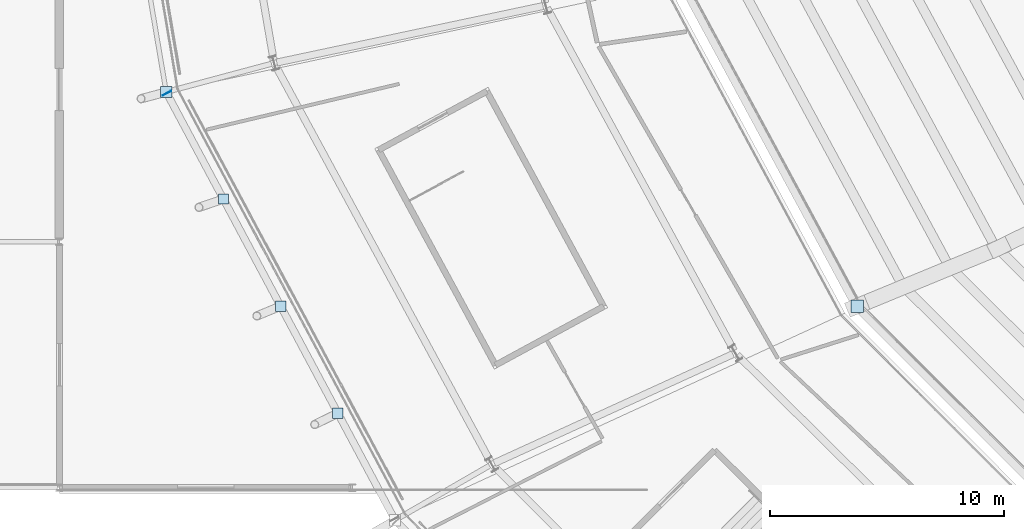
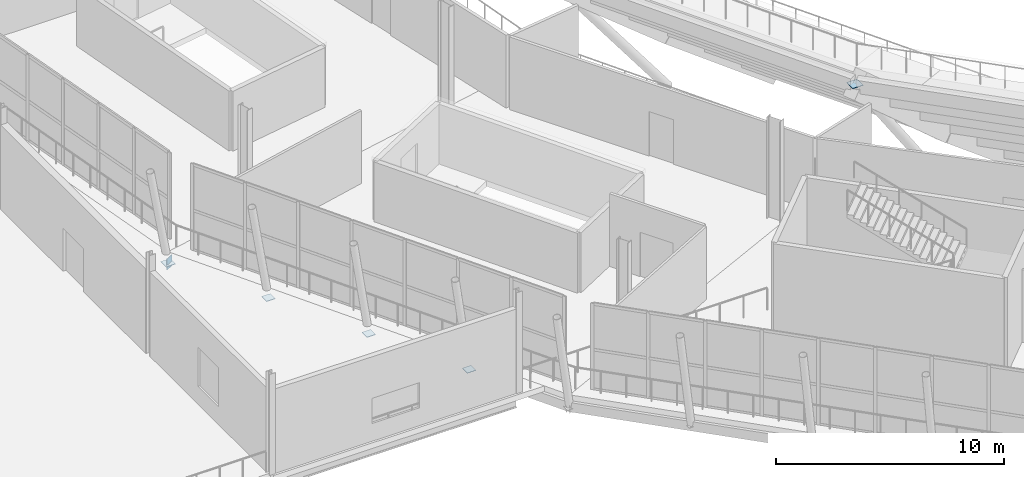
# One storey, part 75 of 126: 6 plates.
"""IFC4 building model written with IfcOpenShell, lengths in metres."""

from ifc_helpers import new_model, si_unit, direction, frame, origin, origin_2d, place, context, subcontext, project, spatial, rectangle, extrude, material, layer, layer_set, type_object, element, save


model = new_model("IFC4")

# Units and contexts
model_context = context("Model", 3, precision=1e-05, world=origin(), true_north=direction((0.0, 1.0)))
body_context = subcontext(model_context, "Body", "Model", "MODEL_VIEW")
ifc_project = project(units=[si_unit("LENGTHUNIT", "METRE"), si_unit("AREAUNIT", "SQUARE_METRE"), si_unit("VOLUMEUNIT", "CUBIC_METRE"), si_unit("PLANEANGLEUNIT", "RADIAN"), si_unit("MASSUNIT", "GRAM", prefix="KILO")], contexts=[model_context])

# Site, building, storey
site_placement = place(None, origin())
site = spatial("IfcSite", under=ifc_project, at=site_placement, CompositionType="ELEMENT")
building_placement = place(site_placement, origin())
building = spatial("IfcBuilding", under=site, at=building_placement, Name="Zlatoyarsky Gate Stadium", CompositionType="ELEMENT")
storey_placement = place(building_placement, frame((0.0, 0.0, 20.800048828125)))
storey = spatial("IfcBuildingStorey", under=building, at=storey_placement, Name="L04", CompositionType="ELEMENT", Elevation=20.800048828125)

# Plates
ifc_material = material(Name="Steel S355", Category="steel")
ifc_layer = layer(ifc_material, 0.02392578125)
ifc_layer_set = layer_set([ifc_layer], Name="Steel S355")
plate_type = type_object("IfcPlateType", Name="STEEL HOLLOW CHORD SPLICE SHEET 24", PredefinedType="SHEET", material=ifc_layer_set)
plate_1_placement = place(storey_placement, frame((16.590087890625, 60.33642578125, -0.85009765625), z_axis=(0.0, 0.0, 1.0), x_axis=(0.471375588462, -0.881932568059, 0.0)))
element("IfcPlate", 1, at=plate_1_placement, inside=storey, type_object=plate_type, Name="Hollow end cap ND-SP1 CAP-L04-SPD-13 A", PredefinedType="SHEET", context=body_context, shape_type="SweptSolid", body=[
    extrude(rectangle(XDim=0.02392578125, YDim=0.39990234375, at=origin_2d()), origin(), (0.0, 0.0, 1.0), 0.60009765625),
])
plate_2_placement = place(storey_placement, frame((16.561767578125, 60.389404296875, -0.612060546875), z_axis=(0.0, 0.0, 1.0), x_axis=(1.0, 0.0, 0.0)))
element("IfcPlate", 2, at=plate_2_placement, inside=storey, type_object=plate_type, Name="Node closure plate ND-SP1 NCAP-L04-RSTR-13", PredefinedType="SHEET", context=body_context, shape_type="SweptSolid", body=[
    extrude(rectangle(XDim=0.47998046875, YDim=0.47998046875, at=origin_2d()), origin(), (0.0, 0.0, 1.0), 0.02392578125),
])
plate_3_placement = place(storey_placement, frame((46.048095703125, 51.25, 4.177978515625), z_axis=(0.0, 0.0, 1.0), x_axis=(1.0, 0.0, 0.0)))
element("IfcPlate", 3, at=plate_3_placement, inside=storey, type_object=plate_type, Name="Node closure plate ND-SP1 NCAP-UTOP-14", PredefinedType="SHEET", context=body_context, shape_type="SweptSolid", body=[
    extrude(rectangle(XDim=0.5400390625, YDim=0.5400390625, at=origin_2d()), origin(), (0.0, 0.0, 1.0), 0.02392578125),
])
for number, where, z_axis, x_axis, name in (
    (4, (19.003662109375, 55.82080078125, -0.56201171875), (0.0, 0.0, 1.0), (1.0, 0.0, 0.0), "Node closure plate ND-SP1 NCAP-RIB-13-1-2T"),
    (5, (21.4453125, 51.252197265625, -0.56201171875), (0.0, 0.0, 1.0), (1.0, 0.0, 0.0), "Node closure plate ND-SP1 NCAP-RIB-13-2-2T"),
    (6, (23.88720703125, 46.683837890625, -0.56201171875), (0.0, 0.0, 1.0), (1.0, 0.0, 0.0), "Node closure plate ND-SP1 NCAP-RIB-13-3-2T"),
):
    element("IfcPlate", number, at=place(storey_placement, frame(where, z_axis=z_axis, x_axis=x_axis)), inside=storey, type_object=plate_type, Name=name, PredefinedType="SHEET", context=body_context, shape_type="SweptSolid", body=[
        extrude(rectangle(XDim=0.43994140625, YDim=0.43994140625, at=origin_2d()), origin(), (0.0, 0.0, 1.0), 0.02392578125),
    ])

save(model, "model.ifc")
